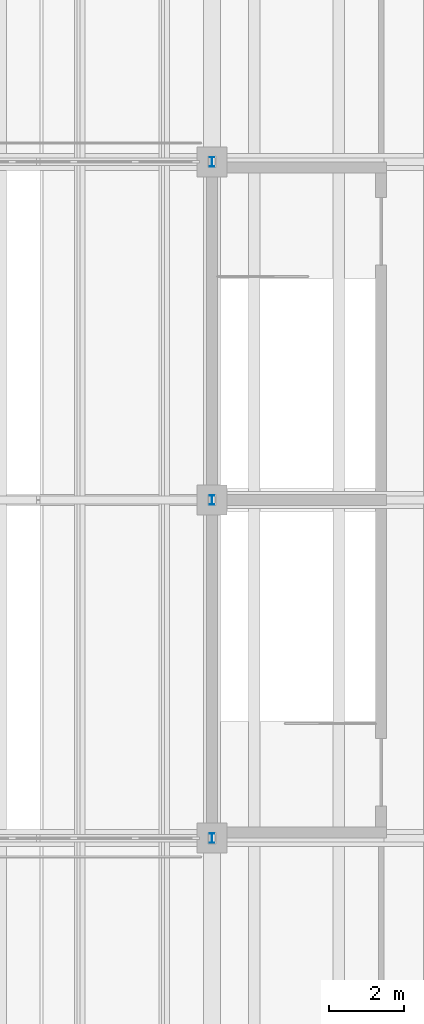
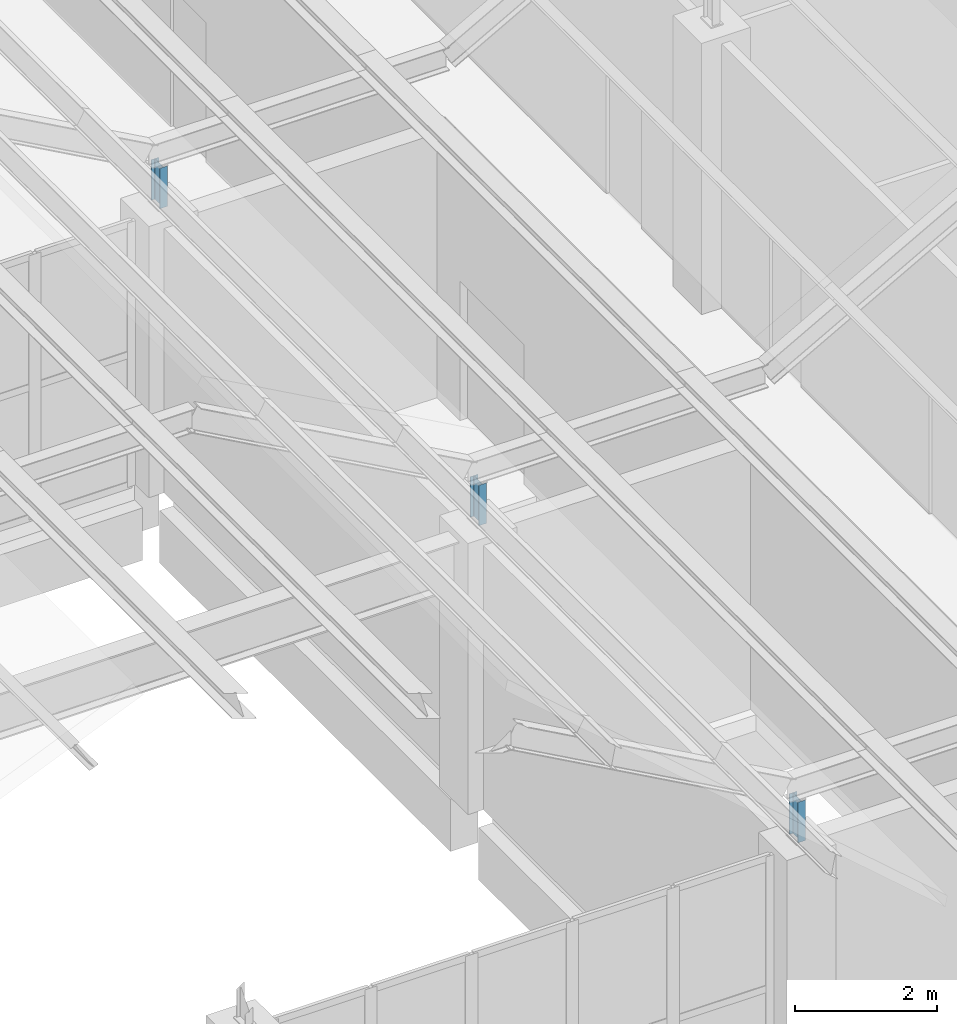
# One storey, part 226 of 437: 3 members.
"""IFC4 building model written with IfcOpenShell, lengths in metres."""

from ifc_helpers import new_model, si_unit, direction, frame, origin, origin_2d, place, context, subcontext, project, spatial, i_section, extrude, material, material_profile, profile_set, type_object, element, save


model = new_model("IFC4")

# Units and contexts
model_context = context("Model", 3, precision=1e-05, world=origin(), true_north=direction((0.0, 1.0)))
body_context = subcontext(model_context, "Body", "Model", "MODEL_VIEW")
ifc_project = project(units=[si_unit("LENGTHUNIT", "METRE"), si_unit("AREAUNIT", "SQUARE_METRE"), si_unit("VOLUMEUNIT", "CUBIC_METRE"), si_unit("PLANEANGLEUNIT", "RADIAN"), si_unit("MASSUNIT", "GRAM", prefix="KILO")], contexts=[model_context])

# Site, building, storey
site_placement = place(None, origin())
site = spatial("IfcSite", under=ifc_project, at=site_placement, CompositionType="ELEMENT")
building_placement = place(site_placement, origin())
building = spatial("IfcBuilding", under=site, at=building_placement, Name="Opaline Strait Convention Centre", CompositionType="ELEMENT")
storey_placement = place(building_placement, frame((0.0, 0.0, 11.5)))
storey = spatial("IfcBuildingStorey", under=building, at=storey_placement, Name="L02", CompositionType="ELEMENT", Elevation=11.5)

# Members
ifc_material = material(Name="Steel Q355B", Category="steel")
ifc_material_profile = material_profile(ifc_material, i_section(OverallWidth=0.125, OverallDepth=0.25, WebThickness=0.006103515625, FlangeThickness=0.009033203125, FilletRadius=0.008056640625, at=origin_2d()), Name="HN 250x125x6x9")
ifc_profile_set = profile_set([ifc_material_profile], Name="Steel Q355B")
member_type = type_object("IfcMemberType", Name="Roof post HN 250x125x6x9", PredefinedType="STRUT", material=ifc_profile_set)
for number, where, z_axis, x_axis, name in (
    (1, (54.0, 45.0, 4.68994140625), (0.0, 0.0, 1.0), (1.0, 0.0, 0.0), "RP1 roof post at 54/45"),
    (2, (54.0, 54.0, 4.68994140625), (0.0, 0.0, 1.0), (1.0, 0.0, 0.0), "RP1 roof post at 54/54"),
    (3, (54.0, 63.0, 4.68994140625), (0.0, 0.0, 1.0), (1.0, 0.0, 0.0), "RP1 roof post at 54/63"),
):
    element("IfcMember", number, at=place(storey_placement, frame(where, z_axis=z_axis, x_axis=x_axis)), inside=storey, type_object=member_type, Name=name, PredefinedType="STRUT", context=body_context, shape_type="SweptSolid", body=[
        extrude(i_section(OverallWidth=0.125, OverallDepth=0.25, WebThickness=0.006103515625, FlangeThickness=0.009033203125, FilletRadius=0.008056640625, at=origin_2d()), origin(), (0.0, 0.0, 1.0), 0.695068359375),
    ])

save(model, "model.ifc")
